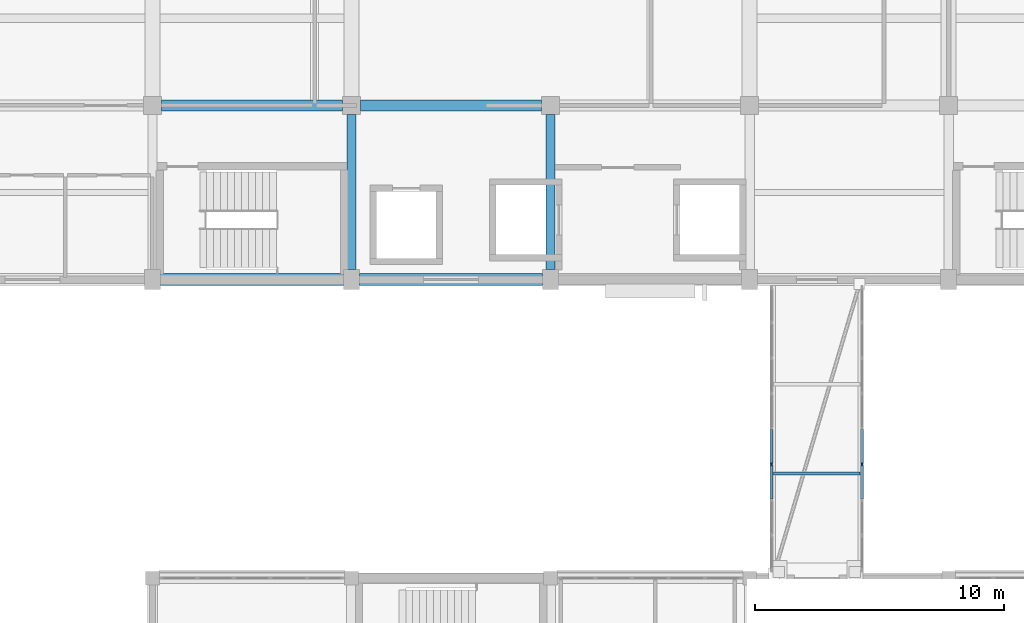
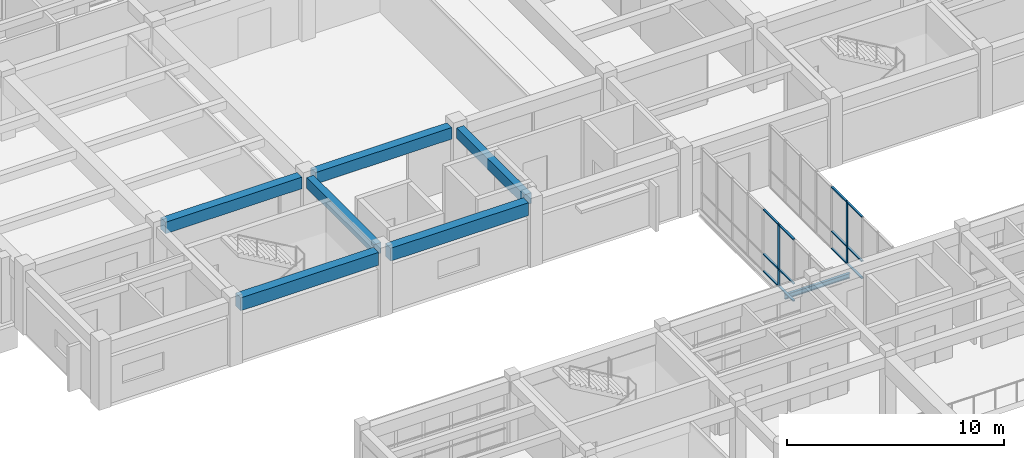
# One storey, part 23 of 66: 14 members, 7 beams, 2 elements without a shape of their own.
"""IFC4 building model written with IfcOpenShell, lengths in metres."""

from ifc_helpers import new_model, si_unit, direction, frame, origin, origin_2d, place, context, subcontext, project, spatial, rectangle, i_section, extrude, material, layer, layer_set, material_profile, profile_set, type_object, element, aggregate, save


model = new_model("IFC4")

# Units and contexts
model_context = context("Model", 3, precision=1e-05, world=origin(), true_north=direction((0.0, 1.0)))
body_context = subcontext(model_context, "Body", "Model", "MODEL_VIEW")
ifc_project = project(units=[si_unit("LENGTHUNIT", "METRE"), si_unit("AREAUNIT", "SQUARE_METRE"), si_unit("VOLUMEUNIT", "CUBIC_METRE"), si_unit("PLANEANGLEUNIT", "RADIAN"), si_unit("MASSUNIT", "GRAM", prefix="KILO")], contexts=[model_context])

# Site, building, storey
site_placement = place(None, origin())
site = spatial("IfcSite", under=ifc_project, at=site_placement, CompositionType="ELEMENT")
building_placement = place(site_placement, origin())
building = spatial("IfcBuilding", under=site, at=building_placement, Name="Naurynzar Civic Courthouse", CompositionType="ELEMENT")
storey_placement = place(building_placement, frame((0.0, 0.0, 14.39990234375)))
storey = spatial("IfcBuildingStorey", under=building, at=storey_placement, Name="L04", CompositionType="ELEMENT", Elevation=14.39990234375)

# Beams
ifc_material_1 = material(Name="Concrete C40/50", Category="concrete")
ifc_material_profile_1 = material_profile(ifc_material_1, rectangle(XDim=0.375, YDim=0.60009765625, at=origin_2d()), Name="RCB 375x600")
ifc_profile_set_1 = profile_set([ifc_material_profile_1], Name="Concrete C40/50")
beam_type_1 = type_object("IfcBeamType", Name="BM-RC-375x600", PredefinedType="BEAM", material=ifc_profile_set_1)
for number, where, z_axis, x_axis, name in (
    (1, (77.0, 44.39990234375, 3.280029296875), (0.0, 1.0, 0.0), (-1.0, 0.0, 0.0), "V2 girder Y-693 L04"),
    (2, (85.0, 44.39990234375, 3.280029296875), (0.0, 1.0, 0.0), (-1.0, 0.0, 0.0), "V2 girder Y-696 L04"),
):
    element("IfcBeam", number, at=place(storey_placement, frame(where, z_axis=z_axis, x_axis=x_axis)), inside=storey, type_object=beam_type_1, Name=name, PredefinedType="BEAM", context=body_context, shape_type="SweptSolid", body=[
        extrude(rectangle(XDim=0.375, YDim=0.60009765625, at=origin_2d()), origin(), (0.0, 0.0, 1.0), 6.237548828125),
    ])
ifc_material_2 = material(Name="Concrete C40/50", Category="concrete")
ifc_material_profile_2 = material_profile(ifc_material_2, rectangle(XDim=0.449951171875, YDim=0.64990234375, at=origin_2d()), Name="RCB 450x650")
ifc_profile_set_2 = profile_set([ifc_material_profile_2], Name="Concrete C40/50")
beam_type_2 = type_object("IfcBeamType", Name="BM-RC-450x650", PredefinedType="BEAM", material=ifc_profile_set_2)
for number, where, z_axis, x_axis, name in (
    (3, (69.362548828125, 51.0, 3.255126953125), (1.0, 0.0, 0.0), (0.0, 1.0, 0.0), "V2 beam X-664 L04"),
    (4, (77.362548828125, 51.0, 3.255126953125), (1.0, 0.0, 0.0), (0.0, 1.0, 0.0), "V2 beam X-665 L04"),
):
    element("IfcBeam", number, at=place(storey_placement, frame(where, z_axis=z_axis, x_axis=x_axis)), inside=storey, type_object=beam_type_2, Name=name, PredefinedType="BEAM", context=body_context, shape_type="SweptSolid", body=[
        extrude(rectangle(XDim=0.449951171875, YDim=0.64990234375, at=origin_2d()), origin(), (0.0, 0.0, 1.0), 7.27490234375),
    ])
ifc_material_3 = material(Name="Concrete C40/50", Category="concrete")
ifc_material_profile_3 = material_profile(ifc_material_3, rectangle(XDim=0.47509765625, YDim=0.72509765625, at=origin_2d()), Name="RCB 475x725")
ifc_profile_set_3 = profile_set([ifc_material_profile_3], Name="Concrete C40/50")
beam_type_3 = type_object("IfcBeamType", Name="BM-RC-475x725", PredefinedType="SPANDREL", material=ifc_profile_set_3)
for number, where, z_axis, x_axis, name in (
    (5, (69.324951171875, 44.0, 3.217529296875), (1.0, 0.0, 0.0), (0.0, 1.0, 0.0), "V2 beam X-656 L04"),
    (6, (77.324951171875, 44.0, 3.217529296875), (1.0, 0.0, 0.0), (0.0, 1.0, 0.0), "V2 beam X-657 L04"),
):
    element("IfcBeam", number, at=place(storey_placement, frame(where, z_axis=z_axis, x_axis=x_axis)), inside=storey, type_object=beam_type_3, Name=name, PredefinedType="SPANDREL", context=body_context, shape_type="SweptSolid", body=[
        extrude(rectangle(XDim=0.47509765625, YDim=0.72509765625, at=origin_2d()), origin(), (0.0, 0.0, 1.0), 7.35009765625),
    ])
ifc_material_4 = material(Name="Steel S355", Category="steel")
ifc_material_profile_4 = material_profile(ifc_material_4, i_section(OverallWidth=0.135009765625, OverallDepth=0.27001953125, WebThickness=0.006591796875, FlangeThickness=0.01025390625, FilletRadius=0.014892578125, at=origin_2d()), Name="IPE 270")
ifc_profile_set_4 = profile_set([ifc_material_profile_4], Name="Steel S355")
beam_type_4 = type_object("IfcBeamType", Name="BM-STL-IPE270", PredefinedType="BEAM", material=ifc_profile_set_4)
beam_placement = place(storey_placement, frame((93.969970703125, 36.2060546875, -0.375), z_axis=(1.0, 0.0, 0.0), x_axis=(0.0, 1.0, 0.0)))
element("IfcBeam", 7, at=beam_placement, inside=storey, type_object=beam_type_4, Name="BR-C1 deck cross-beam L04.1", PredefinedType="BEAM", context=body_context, shape_type="SweptSolid", body=[
    extrude(i_section(OverallWidth=0.135009765625, OverallDepth=0.27001953125, WebThickness=0.006591796875, FlangeThickness=0.01025390625, FilletRadius=0.014892578125, at=origin_2d()), origin(), (0.0, 0.0, 1.0), 3.4599609375),
])

# Curtain wall, member
ifc_material_5 = material(Name="Aluminium 6063-T6", Category="aluminium")
ifc_layer = layer(ifc_material_5, 0.14990234375)
ifc_layer_set = layer_set([ifc_layer], Name="CW-BRIDGE-1500")
curtain_wall_type = type_object("IfcCurtainWallType", Name="CW-BRIDGE-1500", PredefinedType="USERDEFINED", material=ifc_layer_set)
curtain_wall_1_placement = place(storey_placement, origin())
curtain_wall_1 = element("IfcCurtainWall", 8, at=curtain_wall_1_placement, inside=storey, type_object=curtain_wall_type, Name="BR-C1 glazed bridge screen L04.1", ObjectType="GLAZED BRIDGE SCREEN", PredefinedType="USERDEFINED")
ifc_material_6 = material(Name="Aluminium 6063-T6", Category="aluminium")
ifc_material_profile_5 = material_profile(ifc_material_6, rectangle(XDim=0.06005859375, YDim=0.14990234375, at=origin_2d()), Name="ALU MULLION 60x150")
ifc_profile_set_5 = profile_set([ifc_material_profile_5], Name="Aluminium 6063-T6")
member_type_1 = type_object("IfcMemberType", Name="CWM-60x150", PredefinedType="MULLION", material=ifc_profile_set_5)
member_1_placement = place(storey_placement, frame((93.8798828125, 36.574951171875, 0.0), z_axis=(0.0, 0.0, 1.0), x_axis=(1.0, 0.0, 0.0)))
member_1 = element("IfcMember", 9, at=member_1_placement, type_object=member_type_1, Name="CW-03 mullion 6", PredefinedType="MULLION", context=body_context, shape_type="SweptSolid", body=[
    extrude(rectangle(XDim=0.06005859375, YDim=0.14990234375, at=origin_2d()), origin(), (0.0, 0.0, 1.0), 3.52001953125),
])

curtain_wall_2_placement = place(storey_placement, origin())
curtain_wall_2 = element("IfcCurtainWall", 10, at=curtain_wall_2_placement, inside=storey, type_object=curtain_wall_type, Name="BR-C1 glazed bridge screen L04.2", ObjectType="GLAZED BRIDGE SCREEN", PredefinedType="USERDEFINED")
member_2_placement = place(storey_placement, frame((97.52001953125, 36.574951171875, 0.0), z_axis=(0.0, 0.0, 1.0), x_axis=(-1.0, 0.0, 0.0)))
member_2 = element("IfcMember", 11, at=member_2_placement, type_object=member_type_1, Name="CW-03 mullion 4", PredefinedType="MULLION", context=body_context, shape_type="SweptSolid", body=[
    extrude(rectangle(XDim=0.06005859375, YDim=0.14990234375, at=origin_2d()), origin(), (0.0, 0.0, 1.0), 3.52001953125),
])

# Member
ifc_material_7 = material(Name="Aluminium 6063-T6", Category="aluminium")
ifc_material_profile_6 = material_profile(ifc_material_7, rectangle(XDim=0.110107421875, YDim=0.06005859375, at=origin_2d()), Name="ALU TRANSOM 60x110")
ifc_profile_set_6 = profile_set([ifc_material_profile_6], Name="Aluminium 6063-T6")
member_type_2 = type_object("IfcMemberType", Name="CWT-60x110", PredefinedType="USERDEFINED", material=ifc_profile_set_6)
member_3_placement = place(storey_placement, frame((93.8798828125, 37.969970703125, 0.030029296875), z_axis=(0.0, -1.0, 0.0), x_axis=(1.0, 0.0, 0.0)))
member_3 = element("IfcMember", 12, at=member_3_placement, type_object=member_type_2, Name="CW-03 transom 5.1", ObjectType="TRANSOM", PredefinedType="USERDEFINED", context=body_context, shape_type="SweptSolid", body=[
    extrude(rectangle(XDim=0.110107421875, YDim=0.06005859375, at=origin_2d()), origin(), (0.0, 0.0, 1.0), 1.364990234375),
])

member_4_placement = place(storey_placement, frame((93.8798828125, 37.969970703125, 1.0), z_axis=(0.0, -1.0, 0.0), x_axis=(1.0, 0.0, 0.0)))
member_4 = element("IfcMember", 13, at=member_4_placement, type_object=member_type_2, Name="CW-03 transom 5.2", ObjectType="TRANSOM", PredefinedType="USERDEFINED", context=body_context, shape_type="SweptSolid", body=[
    extrude(rectangle(XDim=0.110107421875, YDim=0.06005859375, at=origin_2d()), origin(), (0.0, 0.0, 1.0), 1.364990234375),
])

member_5_placement = place(storey_placement, frame((93.8798828125, 37.969970703125, 3.489990234375), z_axis=(0.0, -1.0, 0.0), x_axis=(1.0, 0.0, 0.0)))
member_5 = element("IfcMember", 14, at=member_5_placement, type_object=member_type_2, Name="CW-03 transom 5.3", ObjectType="TRANSOM", PredefinedType="USERDEFINED", context=body_context, shape_type="SweptSolid", body=[
    extrude(rectangle(XDim=0.110107421875, YDim=0.06005859375, at=origin_2d()), origin(), (0.0, 0.0, 1.0), 1.364990234375),
])

member_6_placement = place(storey_placement, frame((93.8798828125, 36.544921875, 0.030029296875), z_axis=(0.0, -1.0, 0.0), x_axis=(1.0, 0.0, 0.0)))
member_6 = element("IfcMember", 15, at=member_6_placement, type_object=member_type_2, Name="CW-03 transom 6.1", ObjectType="TRANSOM", PredefinedType="USERDEFINED", context=body_context, shape_type="SweptSolid", body=[
    extrude(rectangle(XDim=0.110107421875, YDim=0.06005859375, at=origin_2d()), origin(), (0.0, 0.0, 1.0), 1.364990234375),
])

member_7_placement = place(storey_placement, frame((93.8798828125, 36.544921875, 1.0), z_axis=(0.0, -1.0, 0.0), x_axis=(1.0, 0.0, 0.0)))
member_7 = element("IfcMember", 16, at=member_7_placement, type_object=member_type_2, Name="CW-03 transom 6.2", ObjectType="TRANSOM", PredefinedType="USERDEFINED", context=body_context, shape_type="SweptSolid", body=[
    extrude(rectangle(XDim=0.110107421875, YDim=0.06005859375, at=origin_2d()), origin(), (0.0, 0.0, 1.0), 1.364990234375),
])

member_8_placement = place(storey_placement, frame((93.8798828125, 36.544921875, 3.489990234375), z_axis=(0.0, -1.0, 0.0), x_axis=(1.0, 0.0, 0.0)))
member_8 = element("IfcMember", 17, at=member_8_placement, type_object=member_type_2, Name="CW-03 transom 6.3", ObjectType="TRANSOM", PredefinedType="USERDEFINED", context=body_context, shape_type="SweptSolid", body=[
    extrude(rectangle(XDim=0.110107421875, YDim=0.06005859375, at=origin_2d()), origin(), (0.0, 0.0, 1.0), 1.364990234375),
])

aggregate(curtain_wall_1, [member_1, member_3, member_4, member_5, member_6, member_7, member_8])

member_9_placement = place(storey_placement, frame((97.52001953125, 35.179931640625, 0.030029296875), z_axis=(0.0, 1.0, 0.0), x_axis=(-1.0, 0.0, 0.0)))
member_9 = element("IfcMember", 18, at=member_9_placement, type_object=member_type_2, Name="CW-03 transom 3.1", ObjectType="TRANSOM", PredefinedType="USERDEFINED", context=body_context, shape_type="SweptSolid", body=[
    extrude(rectangle(XDim=0.110107421875, YDim=0.06005859375, at=origin_2d()), origin(), (0.0, 0.0, 1.0), 1.364990234375),
])

member_10_placement = place(storey_placement, frame((97.52001953125, 35.179931640625, 1.0), z_axis=(0.0, 1.0, 0.0), x_axis=(-1.0, 0.0, 0.0)))
member_10 = element("IfcMember", 19, at=member_10_placement, type_object=member_type_2, Name="CW-03 transom 3.2", ObjectType="TRANSOM", PredefinedType="USERDEFINED", context=body_context, shape_type="SweptSolid", body=[
    extrude(rectangle(XDim=0.110107421875, YDim=0.06005859375, at=origin_2d()), origin(), (0.0, 0.0, 1.0), 1.364990234375),
])

member_11_placement = place(storey_placement, frame((97.52001953125, 35.179931640625, 3.489990234375), z_axis=(0.0, 1.0, 0.0), x_axis=(-1.0, 0.0, 0.0)))
member_11 = element("IfcMember", 20, at=member_11_placement, type_object=member_type_2, Name="CW-03 transom 3.3", ObjectType="TRANSOM", PredefinedType="USERDEFINED", context=body_context, shape_type="SweptSolid", body=[
    extrude(rectangle(XDim=0.110107421875, YDim=0.06005859375, at=origin_2d()), origin(), (0.0, 0.0, 1.0), 1.364990234375),
])

member_12_placement = place(storey_placement, frame((97.52001953125, 36.60498046875, 0.030029296875), z_axis=(0.0, 1.0, 0.0), x_axis=(-1.0, 0.0, 0.0)))
member_12 = element("IfcMember", 21, at=member_12_placement, type_object=member_type_2, Name="CW-03 transom 4.1", ObjectType="TRANSOM", PredefinedType="USERDEFINED", context=body_context, shape_type="SweptSolid", body=[
    extrude(rectangle(XDim=0.110107421875, YDim=0.06005859375, at=origin_2d()), origin(), (0.0, 0.0, 1.0), 1.364990234375),
])

member_13_placement = place(storey_placement, frame((97.52001953125, 36.60498046875, 1.0), z_axis=(0.0, 1.0, 0.0), x_axis=(-1.0, 0.0, 0.0)))
member_13 = element("IfcMember", 22, at=member_13_placement, type_object=member_type_2, Name="CW-03 transom 4.2", ObjectType="TRANSOM", PredefinedType="USERDEFINED", context=body_context, shape_type="SweptSolid", body=[
    extrude(rectangle(XDim=0.110107421875, YDim=0.06005859375, at=origin_2d()), origin(), (0.0, 0.0, 1.0), 1.364990234375),
])

member_14_placement = place(storey_placement, frame((97.52001953125, 36.60498046875, 3.489990234375), z_axis=(0.0, 1.0, 0.0), x_axis=(-1.0, 0.0, 0.0)))
member_14 = element("IfcMember", 23, at=member_14_placement, type_object=member_type_2, Name="CW-03 transom 4.3", ObjectType="TRANSOM", PredefinedType="USERDEFINED", context=body_context, shape_type="SweptSolid", body=[
    extrude(rectangle(XDim=0.110107421875, YDim=0.06005859375, at=origin_2d()), origin(), (0.0, 0.0, 1.0), 1.364990234375),
])

aggregate(curtain_wall_2, [member_2, member_9, member_10, member_11, member_12, member_13, member_14])

save(model, "model.ifc")
